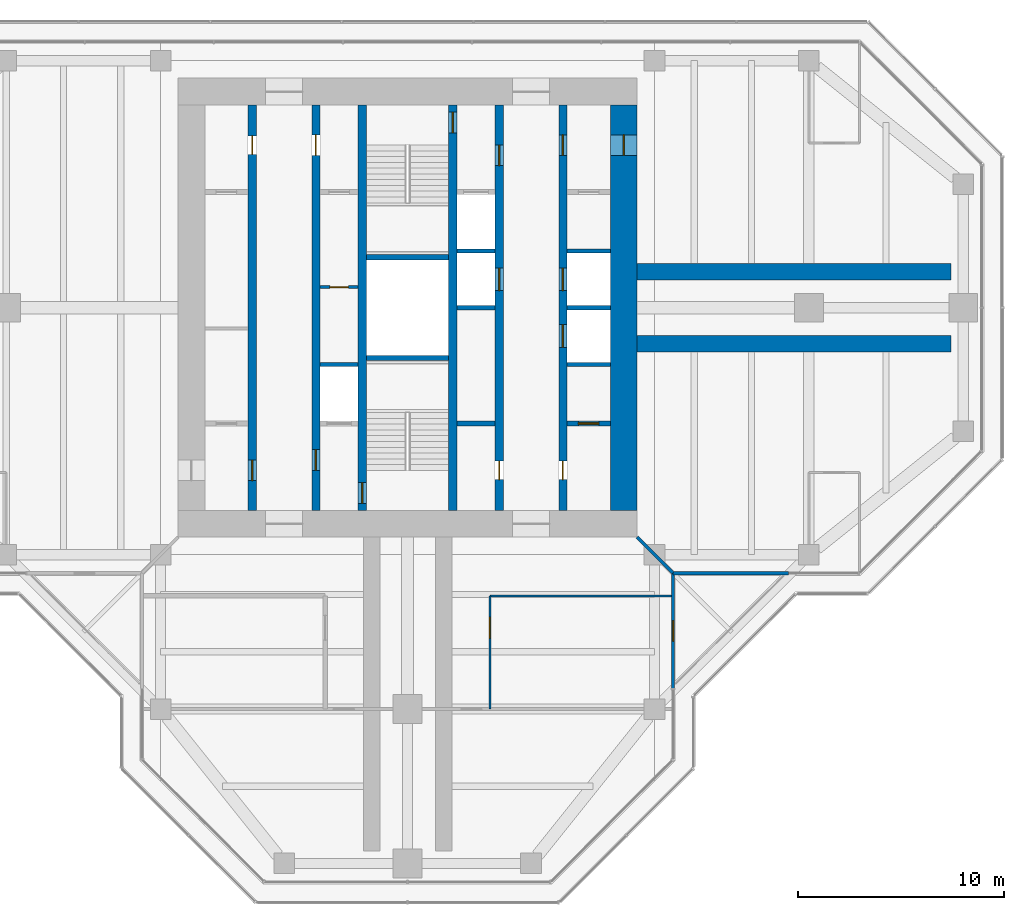
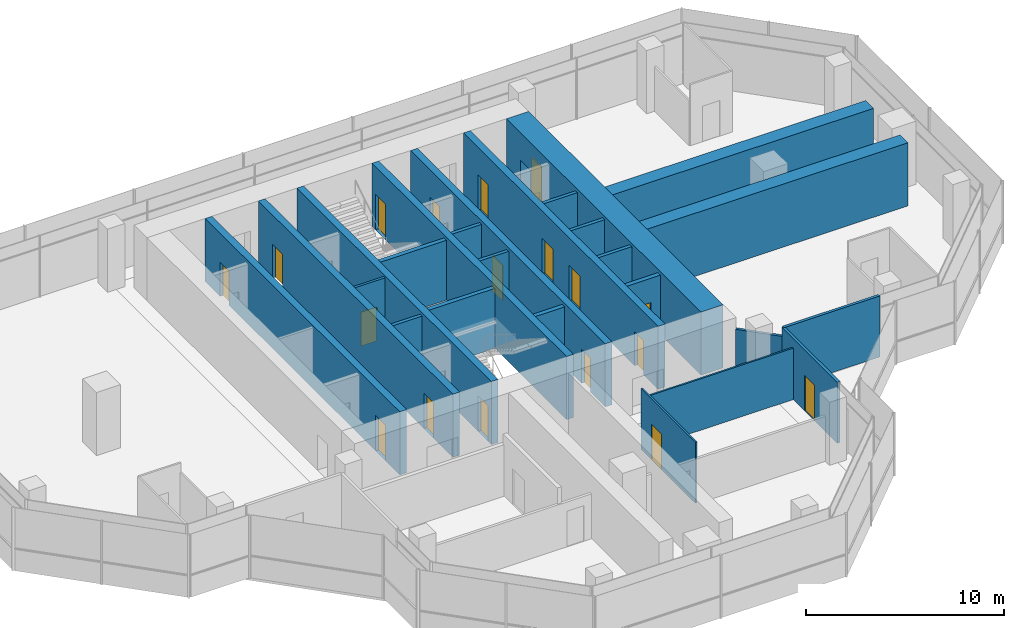
# One storey, part 12 of 15: 25 walls, 18 doors, 18 openings.
"""IFC4 building model written with IfcOpenShell, lengths in metres."""

from ifc_helpers import new_model, si_unit, direction, frame, frame_2d, origin, place, context, subcontext, project, spatial, rectangle, extrude, material, layer, layer_set, type_object, element, fill, save


model = new_model("IFC4")

# Units and contexts
model_context = context("Model", 3, precision=1e-05, world=origin(), true_north=direction((0.0, 1.0)))
body_context = subcontext(model_context, "Body", "Model", "MODEL_VIEW")
ifc_project = project(units=[si_unit("LENGTHUNIT", "METRE"), si_unit("AREAUNIT", "SQUARE_METRE"), si_unit("VOLUMEUNIT", "CUBIC_METRE"), si_unit("PLANEANGLEUNIT", "RADIAN"), si_unit("MASSUNIT", "GRAM", prefix="KILO")], contexts=[model_context])

# Site, building, storey
site_placement = place(None, origin())
site = spatial("IfcSite", under=ifc_project, at=site_placement, CompositionType="ELEMENT")
building_placement = place(site_placement, origin())
building = spatial("IfcBuilding", under=site, at=building_placement, Name="Mizan Broadcast Tower", CompositionType="ELEMENT")
storey_placement = place(building_placement, frame((0.0, 0.0, 286.800048828125)))
storey = spatial("IfcBuildingStorey", under=building, at=storey_placement, Name="L68", CompositionType="ELEMENT", Elevation=286.800048828125)

# Wall, openings, doors
ifc_material_1 = material(Name="Concrete C70/85", Category="concrete")
ifc_layer_1 = layer(ifc_material_1, 0.39990234375)
ifc_layer_set_1 = layer_set([ifc_layer_1], Name="Concrete C70/85")
wall_type_1 = type_object("IfcWallType", Name="CORE INTERNAL WALL 400", PredefinedType="SHEAR", material=ifc_layer_set_1)
wall_1_placement = place(storey_placement, frame((-7.550048828125, -9.85009765625, 0.0), z_axis=(0.0, 0.0, 1.0), x_axis=(0.0, 1.0, 0.0)))
wall_1 = element("IfcWall", 1, at=wall_1_placement, inside=storey, type_object=wall_type_1, Name="Core wall CORE/XW1", PredefinedType="SHEAR", context=body_context, shape_type="SweptSolid", body=[
    extrude(rectangle(XDim=19.7001953125, YDim=0.39990234375, at=frame_2d((9.85009765625, 0.0))), origin(), (0.0, 0.0, 1.0), 3.89990234375),
])
opening_1_placement = place(wall_1_placement, frame((1.449951171875, 0.0, 0.0)))
opening_1 = element("IfcOpeningElement", 2, at=opening_1_placement, cuts=wall_1, Name="Opening D10F", PredefinedType="OPENING", context=body_context, shape_type="SweptSolid", body=[
    extrude(rectangle(XDim=1.0, YDim=2.199951171875, at=frame_2d((0.5, 1.10009765625))), frame((0.0, 0.2099609375, 0.0), z_axis=(0.0, -1.0, 0.0), x_axis=(1.0, 0.0, 0.0)), (0.0, 0.0, 1.0), 0.419921875),
])
opening_2_placement = place(wall_1_placement, frame((17.300048828125, 0.0, 0.0)))
opening_2 = element("IfcOpeningElement", 3, at=opening_2_placement, cuts=wall_1, Name="Opening D09", PredefinedType="OPENING", context=body_context, shape_type="SweptSolid", body=[
    extrude(rectangle(XDim=0.89990234375, YDim=2.10009765625, at=frame_2d((0.449951171875, 1.050048828125))), frame((0.0, 0.2099609375, 0.0), z_axis=(0.0, -1.0, 0.0), x_axis=(1.0, 0.0, 0.0)), (0.0, 0.0, 1.0), 0.419921875),
])
ifc_material_2 = material(Name="Steel door leaf in steel frame", Category="steel")
door_type_1 = type_object("IfcDoorType", Name="FIRE DOOR 1000 FD90", OperationType="SINGLE_SWING_LEFT", PredefinedType="DOOR", material=ifc_material_2)
door_1_placement = place(opening_1_placement, origin())
door_1 = element("IfcDoor", 4, at=door_1_placement, inside=storey, type_object=door_type_1, Name="West core passage door", OperationType="SINGLE_SWING_LEFT", OverallHeight=2.199951171875, OverallWidth=1.0, PredefinedType="DOOR", context=body_context, shape_type="SweptSolid", body=[
    extrude(rectangle(XDim=1.0, YDim=2.199951171875, at=frame_2d((0.5, 1.10009765625))), frame((0.0, 0.02490234375, 0.0), z_axis=(0.0, -1.0, 0.0), x_axis=(1.0, 0.0, 0.0)), (0.0, 0.0, 1.0), 0.050048828125),
])
fill(opening_1, door_1)
ifc_material_3 = material(Name="Timber door leaf in aluminium frame", Category="wood")
door_type_2 = type_object("IfcDoorType", Name="TOILET DOOR 900", OperationType="SINGLE_SWING_LEFT", PredefinedType="DOOR", material=ifc_material_3)
door_2_placement = place(opening_2_placement, origin())
door_2 = element("IfcDoor", 5, at=door_2_placement, inside=storey, type_object=door_type_2, Name="Male WC door", OperationType="SINGLE_SWING_RIGHT", OverallHeight=2.10009765625, OverallWidth=0.89990234375, PredefinedType="DOOR", context=body_context, shape_type="SweptSolid", body=[
    extrude(rectangle(XDim=0.89990234375, YDim=2.10009765625, at=frame_2d((0.449951171875, 1.050048828125))), frame((0.0, 0.02490234375, 0.0), z_axis=(0.0, -1.0, 0.0), x_axis=(1.0, 0.0, 0.0)), (0.0, 0.0, 1.0), 0.050048828125),
])
fill(opening_2, door_2)

wall_2_placement = place(storey_placement, frame((7.550048828125, 9.85009765625, 0.0), z_axis=(0.0, 0.0, 1.0), x_axis=(0.0, -1.0, 0.0)))
wall_2 = element("IfcWall", 6, at=wall_2_placement, inside=storey, type_object=wall_type_1, Name="Core wall CORE/XW1E", PredefinedType="SHEAR", context=body_context, shape_type="SweptSolid", body=[
    extrude(rectangle(XDim=19.7001953125, YDim=0.39990234375, at=frame_2d((9.85009765625, 0.0))), origin(), (0.0, 0.0, 1.0), 3.89990234375),
])
opening_3_placement = place(wall_2_placement, frame((1.449951171875, 0.0, 0.0)))
opening_3 = element("IfcOpeningElement", 7, at=opening_3_placement, cuts=wall_2, Name="Opening D10F", PredefinedType="OPENING", context=body_context, shape_type="SweptSolid", body=[
    extrude(rectangle(XDim=1.0, YDim=2.199951171875, at=frame_2d((0.5, 1.10009765625))), frame((0.0, 0.2099609375, 0.0), z_axis=(0.0, -1.0, 0.0), x_axis=(1.0, 0.0, 0.0)), (0.0, 0.0, 1.0), 0.419921875),
])
opening_4_placement = place(wall_2_placement, frame((17.300048828125, 0.0, 0.0)))
opening_4 = element("IfcOpeningElement", 8, at=opening_4_placement, cuts=wall_2, Name="Opening D09", PredefinedType="OPENING", context=body_context, shape_type="SweptSolid", body=[
    extrude(rectangle(XDim=0.89990234375, YDim=2.10009765625, at=frame_2d((0.449951171875, 1.050048828125))), frame((0.0, 0.2099609375, 0.0), z_axis=(0.0, -1.0, 0.0), x_axis=(1.0, 0.0, 0.0)), (0.0, 0.0, 1.0), 0.419921875),
])
opening_5_placement = place(wall_2_placement, frame((7.925048828125, 0.0, 0.0)))
opening_5 = element("IfcOpeningElement", 9, at=opening_5_placement, cuts=wall_2, Name="Opening LD", PredefinedType="OPENING", context=body_context, shape_type="SweptSolid", body=[
    extrude(rectangle(XDim=1.10009765625, YDim=2.199951171875, at=frame_2d((0.550048828125, 1.10009765625))), frame((0.0, 0.2099609375, 0.0), z_axis=(0.0, -1.0, 0.0), x_axis=(1.0, 0.0, 0.0)), (0.0, 0.0, 1.0), 0.419921875),
])
opening_6_placement = place(wall_2_placement, frame((10.675048828125, 0.0, 0.0)))
opening_6 = element("IfcOpeningElement", 10, at=opening_6_placement, cuts=wall_2, Name="Opening LD", PredefinedType="OPENING", context=body_context, shape_type="SweptSolid", body=[
    extrude(rectangle(XDim=1.10009765625, YDim=2.199951171875, at=frame_2d((0.550048828125, 1.10009765625))), frame((0.0, 0.2099609375, 0.0), z_axis=(0.0, -1.0, 0.0), x_axis=(1.0, 0.0, 0.0)), (0.0, 0.0, 1.0), 0.419921875),
])
door_3_placement = place(opening_3_placement, origin())
door_3 = element("IfcDoor", 11, at=door_3_placement, inside=storey, type_object=door_type_1, Name="East core passage door", OperationType="SINGLE_SWING_LEFT", OverallHeight=2.199951171875, OverallWidth=1.0, PredefinedType="DOOR", context=body_context, shape_type="SweptSolid", body=[
    extrude(rectangle(XDim=1.0, YDim=2.199951171875, at=frame_2d((0.5, 1.10009765625))), frame((0.0, 0.02490234375, 0.0), z_axis=(0.0, -1.0, 0.0), x_axis=(1.0, 0.0, 0.0)), (0.0, 0.0, 1.0), 0.050048828125),
])
fill(opening_3, door_3)
ifc_material_4 = material(Name="Steel door leaf in steel frame", Category="steel")
door_type_3 = type_object("IfcDoorType", Name="LIFT LANDING DOOR 1100", OperationType="SLIDING_TO_LEFT", PredefinedType="DOOR", material=ifc_material_4)
door_4_placement = place(opening_5_placement, origin())
door_4 = element("IfcDoor", 12, at=door_4_placement, inside=storey, type_object=door_type_3, Name="Landing door LD1", OperationType="SLIDING_TO_LEFT", OverallHeight=2.199951171875, OverallWidth=1.10009765625, PredefinedType="DOOR", context=body_context, shape_type="SweptSolid", body=[
    extrude(rectangle(XDim=1.10009765625, YDim=2.199951171875, at=frame_2d((0.550048828125, 1.10009765625))), frame((0.0, 0.02490234375, 0.0), z_axis=(0.0, -1.0, 0.0), x_axis=(1.0, 0.0, 0.0)), (0.0, 0.0, 1.0), 0.050048828125),
])
fill(opening_5, door_4)
door_5_placement = place(opening_6_placement, origin())
door_5 = element("IfcDoor", 13, at=door_5_placement, inside=storey, type_object=door_type_3, Name="Landing door LD2", OperationType="SLIDING_TO_LEFT", OverallHeight=2.199951171875, OverallWidth=1.10009765625, PredefinedType="DOOR", context=body_context, shape_type="SweptSolid", body=[
    extrude(rectangle(XDim=1.10009765625, YDim=2.199951171875, at=frame_2d((0.550048828125, 1.10009765625))), frame((0.0, 0.02490234375, 0.0), z_axis=(0.0, -1.0, 0.0), x_axis=(1.0, 0.0, 0.0)), (0.0, 0.0, 1.0), 0.050048828125),
])
fill(opening_6, door_5)
door_6_placement = place(opening_4_placement, origin())
door_6 = element("IfcDoor", 14, at=door_6_placement, inside=storey, type_object=door_type_2, Name="Female WC door", OperationType="SINGLE_SWING_RIGHT", OverallHeight=2.10009765625, OverallWidth=0.89990234375, PredefinedType="DOOR", context=body_context, shape_type="SweptSolid", body=[
    extrude(rectangle(XDim=0.89990234375, YDim=2.10009765625, at=frame_2d((0.449951171875, 1.050048828125))), frame((0.0, 0.02490234375, 0.0), z_axis=(0.0, -1.0, 0.0), x_axis=(1.0, 0.0, 0.0)), (0.0, 0.0, 1.0), 0.050048828125),
])
fill(opening_4, door_6)

wall_3_placement = place(storey_placement, frame((-4.449951171875, -9.85009765625, 0.0), z_axis=(0.0, 0.0, 1.0), x_axis=(0.0, 1.0, 0.0)))
wall_3 = element("IfcWall", 15, at=wall_3_placement, inside=storey, type_object=wall_type_1, Name="Core wall CORE/XWH", PredefinedType="SHEAR", context=body_context, shape_type="SweptSolid", body=[
    extrude(rectangle(XDim=19.7001953125, YDim=0.39990234375, at=frame_2d((9.85009765625, 0.0))), origin(), (0.0, 0.0, 1.0), 3.89990234375),
])
opening_7_placement = place(wall_3_placement, frame((1.949951171875, 0.0, 0.0)))
opening_7 = element("IfcOpeningElement", 16, at=opening_7_placement, cuts=wall_3, Name="Opening D10F", PredefinedType="OPENING", context=body_context, shape_type="SweptSolid", body=[
    extrude(rectangle(XDim=1.0, YDim=2.199951171875, at=frame_2d((0.5, 1.10009765625))), frame((0.0, 0.2099609375, 0.0), z_axis=(0.0, -1.0, 0.0), x_axis=(1.0, 0.0, 0.0)), (0.0, 0.0, 1.0), 0.419921875),
])
opening_8_placement = place(wall_3_placement, frame((17.25, 0.0, 0.0)))
opening_8 = element("IfcOpeningElement", 17, at=opening_8_placement, cuts=wall_3, Name="Opening D10A", PredefinedType="OPENING", context=body_context, shape_type="SweptSolid", body=[
    extrude(rectangle(XDim=1.0, YDim=2.10009765625, at=frame_2d((0.5, 1.050048828125))), frame((0.0, 0.2099609375, 0.0), z_axis=(0.0, -1.0, 0.0), x_axis=(1.0, 0.0, 0.0)), (0.0, 0.0, 1.0), 0.419921875),
])
ifc_material_5 = material(Name="Timber door leaf in aluminium frame", Category="wood")
door_type_4 = type_object("IfcDoorType", Name="ACCESSIBLE WC DOOR 1000", OperationType="SLIDING_TO_LEFT", PredefinedType="DOOR", material=ifc_material_5)
door_7_placement = place(opening_8_placement, origin())
door_7 = element("IfcDoor", 18, at=door_7_placement, inside=storey, type_object=door_type_4, Name="Accessible WC door", OperationType="SLIDING_TO_LEFT", OverallHeight=2.10009765625, OverallWidth=1.0, PredefinedType="DOOR", context=body_context, shape_type="SweptSolid", body=[
    extrude(rectangle(XDim=1.0, YDim=2.10009765625, at=frame_2d((0.5, 1.050048828125))), frame((0.0, 0.02490234375, 0.0), z_axis=(0.0, -1.0, 0.0), x_axis=(1.0, 0.0, 0.0)), (0.0, 0.0, 1.0), 0.050048828125),
])
fill(opening_8, door_7)
door_8_placement = place(opening_7_placement, origin())
door_8 = element("IfcDoor", 19, at=door_8_placement, inside=storey, type_object=door_type_1, Name="Firefighting lobby A door", OperationType="SINGLE_SWING_LEFT", OverallHeight=2.199951171875, OverallWidth=1.0, PredefinedType="DOOR", context=body_context, shape_type="SweptSolid", body=[
    extrude(rectangle(XDim=1.0, YDim=2.199951171875, at=frame_2d((0.5, 1.10009765625))), frame((0.0, 0.02490234375, 0.0), z_axis=(0.0, -1.0, 0.0), x_axis=(1.0, 0.0, 0.0)), (0.0, 0.0, 1.0), 0.050048828125),
])
fill(opening_7, door_8)

wall_4_placement = place(storey_placement, frame((4.449951171875, 9.85009765625, 0.0), z_axis=(0.0, 0.0, 1.0), x_axis=(0.0, -1.0, 0.0)))
wall_4 = element("IfcWall", 20, at=wall_4_placement, inside=storey, type_object=wall_type_1, Name="Core wall CORE/XWHE", PredefinedType="SHEAR", context=body_context, shape_type="SweptSolid", body=[
    extrude(rectangle(XDim=19.7001953125, YDim=0.39990234375, at=frame_2d((9.85009765625, 0.0))), origin(), (0.0, 0.0, 1.0), 3.89990234375),
])
opening_9_placement = place(wall_4_placement, frame((1.949951171875, 0.0, 0.0)))
opening_9 = element("IfcOpeningElement", 21, at=opening_9_placement, cuts=wall_4, Name="Opening D10F", PredefinedType="OPENING", context=body_context, shape_type="SweptSolid", body=[
    extrude(rectangle(XDim=1.0, YDim=2.199951171875, at=frame_2d((0.5, 1.10009765625))), frame((0.0, 0.2099609375, 0.0), z_axis=(0.0, -1.0, 0.0), x_axis=(1.0, 0.0, 0.0)), (0.0, 0.0, 1.0), 0.419921875),
])
opening_10_placement = place(wall_4_placement, frame((17.300048828125, 0.0, 0.0)))
opening_10 = element("IfcOpeningElement", 22, at=opening_10_placement, cuts=wall_4, Name="Opening D09", PredefinedType="OPENING", context=body_context, shape_type="SweptSolid", body=[
    extrude(rectangle(XDim=0.89990234375, YDim=2.10009765625, at=frame_2d((0.449951171875, 1.050048828125))), frame((0.0, 0.2099609375, 0.0), z_axis=(0.0, -1.0, 0.0), x_axis=(1.0, 0.0, 0.0)), (0.0, 0.0, 1.0), 0.419921875),
])
opening_11_placement = place(wall_4_placement, frame((7.925048828125, 0.0, 0.0)))
opening_11 = element("IfcOpeningElement", 23, at=opening_11_placement, cuts=wall_4, Name="Opening LD", PredefinedType="OPENING", context=body_context, shape_type="SweptSolid", body=[
    extrude(rectangle(XDim=1.10009765625, YDim=2.199951171875, at=frame_2d((0.550048828125, 1.10009765625))), frame((0.0, 0.2099609375, 0.0), z_axis=(0.0, -1.0, 0.0), x_axis=(1.0, 0.0, 0.0)), (0.0, 0.0, 1.0), 0.419921875),
])
door_9_placement = place(opening_9_placement, origin())
door_9 = element("IfcDoor", 24, at=door_9_placement, inside=storey, type_object=door_type_1, Name="Firefighting lobby B door", OperationType="SINGLE_SWING_LEFT", OverallHeight=2.199951171875, OverallWidth=1.0, PredefinedType="DOOR", context=body_context, shape_type="SweptSolid", body=[
    extrude(rectangle(XDim=1.0, YDim=2.199951171875, at=frame_2d((0.5, 1.10009765625))), frame((0.0, 0.02490234375, 0.0), z_axis=(0.0, -1.0, 0.0), x_axis=(1.0, 0.0, 0.0)), (0.0, 0.0, 1.0), 0.050048828125),
])
fill(opening_9, door_9)
door_10_placement = place(opening_11_placement, origin())
door_10 = element("IfcDoor", 25, at=door_10_placement, inside=storey, type_object=door_type_3, Name="Landing door LD3", OperationType="SLIDING_TO_LEFT", OverallHeight=2.199951171875, OverallWidth=1.10009765625, PredefinedType="DOOR", context=body_context, shape_type="SweptSolid", body=[
    extrude(rectangle(XDim=1.10009765625, YDim=2.199951171875, at=frame_2d((0.550048828125, 1.10009765625))), frame((0.0, 0.02490234375, 0.0), z_axis=(0.0, -1.0, 0.0), x_axis=(1.0, 0.0, 0.0)), (0.0, 0.0, 1.0), 0.050048828125),
])
fill(opening_11, door_10)
door_11_placement = place(opening_10_placement, origin())
door_11 = element("IfcDoor", 26, at=door_11_placement, inside=storey, type_object=door_type_2, Name="Cleaner's store door", OperationType="SINGLE_SWING_RIGHT", OverallHeight=2.10009765625, OverallWidth=0.89990234375, PredefinedType="DOOR", context=body_context, shape_type="SweptSolid", body=[
    extrude(rectangle(XDim=0.89990234375, YDim=2.10009765625, at=frame_2d((0.449951171875, 1.050048828125))), frame((0.0, 0.02490234375, 0.0), z_axis=(0.0, -1.0, 0.0), x_axis=(1.0, 0.0, 0.0)), (0.0, 0.0, 1.0), 0.050048828125),
])
fill(opening_10, door_11)

# Wall, opening, door
wall_5_placement = place(storey_placement, frame((-2.199951171875, -9.85009765625, 0.0), z_axis=(0.0, 0.0, 1.0), x_axis=(0.0, 1.0, 0.0)))
wall_5 = element("IfcWall", 27, at=wall_5_placement, inside=storey, type_object=wall_type_1, Name="Core wall CORE/XW2", PredefinedType="SHEAR", context=body_context, shape_type="SweptSolid", body=[
    extrude(rectangle(XDim=19.7001953125, YDim=0.39990234375, at=frame_2d((9.85009765625, 0.0))), origin(), (0.0, 0.0, 1.0), 3.89990234375),
])
opening_12_placement = place(wall_5_placement, frame((0.35009765625, 0.0, 0.0)))
opening_12 = element("IfcOpeningElement", 28, at=opening_12_placement, cuts=wall_5, Name="Opening D10S", PredefinedType="OPENING", context=body_context, shape_type="SweptSolid", body=[
    extrude(rectangle(XDim=1.0, YDim=2.199951171875, at=frame_2d((0.5, 1.10009765625))), frame((0.0, 0.2099609375, 0.0), z_axis=(0.0, -1.0, 0.0), x_axis=(1.0, 0.0, 0.0)), (0.0, 0.0, 1.0), 0.419921875),
])
ifc_material_6 = material(Name="Steel door leaf in steel frame", Category="steel")
door_type_5 = type_object("IfcDoorType", Name="STAIR DOOR 1000 FD90S", OperationType="SINGLE_SWING_RIGHT", PredefinedType="DOOR", material=ifc_material_6)
door_12_placement = place(opening_12_placement, origin())
door_12 = element("IfcDoor", 29, at=door_12_placement, inside=storey, type_object=door_type_5, Name="Stair A door", OperationType="SINGLE_SWING_RIGHT", OverallHeight=2.199951171875, OverallWidth=1.0, PredefinedType="DOOR", context=body_context, shape_type="SweptSolid", body=[
    extrude(rectangle(XDim=1.0, YDim=2.199951171875, at=frame_2d((0.5, 1.10009765625))), frame((0.0, 0.02490234375, 0.0), z_axis=(0.0, -1.0, 0.0), x_axis=(1.0, 0.0, 0.0)), (0.0, 0.0, 1.0), 0.050048828125),
])
fill(opening_12, door_12)

wall_6_placement = place(storey_placement, frame((2.199951171875, 9.85009765625, 0.0), z_axis=(0.0, 0.0, 1.0), x_axis=(0.0, -1.0, 0.0)))
wall_6 = element("IfcWall", 30, at=wall_6_placement, inside=storey, type_object=wall_type_1, Name="Core wall CORE/XW2E", PredefinedType="SHEAR", context=body_context, shape_type="SweptSolid", body=[
    extrude(rectangle(XDim=19.7001953125, YDim=0.39990234375, at=frame_2d((9.85009765625, 0.0))), origin(), (0.0, 0.0, 1.0), 3.89990234375),
])
opening_13_placement = place(wall_6_placement, frame((0.35009765625, 0.0, 0.0)))
opening_13 = element("IfcOpeningElement", 31, at=opening_13_placement, cuts=wall_6, Name="Opening D10S", PredefinedType="OPENING", context=body_context, shape_type="SweptSolid", body=[
    extrude(rectangle(XDim=1.0, YDim=2.199951171875, at=frame_2d((0.5, 1.10009765625))), frame((0.0, 0.2099609375, 0.0), z_axis=(0.0, -1.0, 0.0), x_axis=(1.0, 0.0, 0.0)), (0.0, 0.0, 1.0), 0.419921875),
])
door_13_placement = place(opening_13_placement, origin())
door_13 = element("IfcDoor", 32, at=door_13_placement, inside=storey, type_object=door_type_5, Name="Stair B door", OperationType="SINGLE_SWING_RIGHT", OverallHeight=2.199951171875, OverallWidth=1.0, PredefinedType="DOOR", context=body_context, shape_type="SweptSolid", body=[
    extrude(rectangle(XDim=1.0, YDim=2.199951171875, at=frame_2d((0.5, 1.10009765625))), frame((0.0, 0.02490234375, 0.0), z_axis=(0.0, -1.0, 0.0), x_axis=(1.0, 0.0, 0.0)), (0.0, 0.0, 1.0), 0.050048828125),
])
fill(opening_13, door_13)

ifc_material_7 = material(Name="Concrete blockwork", Category="masonry")
ifc_layer_2 = layer(ifc_material_7, 0.14990234375)
ifc_layer_set_2 = layer_set([ifc_layer_2], Name="Concrete blockwork")
wall_type_2 = type_object("IfcWallType", Name="CORE PARTITION 150", PredefinedType="SOLIDWALL", material=ifc_layer_set_2)
wall_7_placement = place(storey_placement, frame((-4.25, 1.0, 0.0), z_axis=(0.0, 0.0, 1.0), x_axis=(1.0, 0.0, 0.0)))
wall_7 = element("IfcWall", 33, at=wall_7_placement, inside=storey, type_object=wall_type_2, Name="Core partition CORE/XP2", PredefinedType="SOLIDWALL", context=body_context, shape_type="SweptSolid", body=[
    extrude(rectangle(XDim=1.85009765625, YDim=0.14990234375, at=frame_2d((0.925048828125, 0.0))), origin(), (0.0, 0.0, 1.0), 3.77001953125),
])
opening_14_placement = place(wall_7_placement, frame((0.47509765625, 0.0, 0.0)))
opening_14 = element("IfcOpeningElement", 34, at=opening_14_placement, cuts=wall_7, Name="Opening D09F", PredefinedType="OPENING", context=body_context, shape_type="SweptSolid", body=[
    extrude(rectangle(XDim=0.89990234375, YDim=2.10009765625, at=frame_2d((0.449951171875, 1.050048828125))), frame((0.0, 0.0849609375, 0.0), z_axis=(0.0, -1.0, 0.0), x_axis=(1.0, 0.0, 0.0)), (0.0, 0.0, 1.0), 0.169921875),
])
ifc_material_8 = material(Name="Steel door leaf in steel frame", Category="steel")
door_type_6 = type_object("IfcDoorType", Name="CORE ROOM DOOR 900 FD90", OperationType="SINGLE_SWING_LEFT", PredefinedType="DOOR", material=ifc_material_8)
door_14_placement = place(opening_14_placement, origin())
door_14 = element("IfcDoor", 35, at=door_14_placement, inside=storey, type_object=door_type_6, Name="Accessible changing room door", OperationType="SINGLE_SWING_RIGHT", OverallHeight=2.10009765625, OverallWidth=0.89990234375, PredefinedType="DOOR", context=body_context, shape_type="SweptSolid", body=[
    extrude(rectangle(XDim=0.89990234375, YDim=2.10009765625, at=frame_2d((0.449951171875, 1.050048828125))), frame((0.0, 0.02490234375, 0.0), z_axis=(0.0, -1.0, 0.0), x_axis=(1.0, 0.0, 0.0)), (0.0, 0.0, 1.0), 0.050048828125),
])
fill(opening_14, door_14)

ifc_material_9 = material(Name="Concrete C70/85", Category="concrete")
ifc_layer_3 = layer(ifc_material_9, 1.300048828125)
ifc_layer_set_3 = layer_set([ifc_layer_3], Name="Concrete C70/85")
wall_type_3 = type_object("IfcWallType", Name="CORE WALL 1300", PredefinedType="SHEAR", material=ifc_layer_set_3)
wall_8_placement = place(storey_placement, frame((10.5, -9.85009765625, 0.0), z_axis=(0.0, 0.0, 1.0), x_axis=(0.0, 1.0, 0.0)))
wall_8 = element("IfcWall", 36, at=wall_8_placement, inside=storey, type_object=wall_type_3, Name="Core wall E L68", PredefinedType="SHEAR", context=body_context, shape_type="SweptSolid", body=[
    extrude(rectangle(XDim=19.7001953125, YDim=1.300048828125, at=frame_2d((9.85009765625, 0.0))), origin(), (0.0, 0.0, 1.0), 3.89990234375),
])
opening_15_placement = place(wall_8_placement, frame((17.25, 0.0, 0.0)))
opening_15 = element("IfcOpeningElement", 37, at=opening_15_placement, cuts=wall_8, Name="Opening D10F", PredefinedType="OPENING", context=body_context, shape_type="SweptSolid", body=[
    extrude(rectangle(XDim=1.0, YDim=2.199951171875, at=frame_2d((0.5, 1.10009765625))), frame((0.0, 0.659912109375, 0.0), z_axis=(0.0, -1.0, 0.0), x_axis=(1.0, 0.0, 0.0)), (0.0, 0.0, 1.0), 1.320068359375),
])
door_15_placement = place(opening_15_placement, origin())
door_15 = element("IfcDoor", 38, at=door_15_placement, inside=storey, type_object=door_type_1, Name="East core passage arm door", OperationType="SINGLE_SWING_RIGHT", OverallHeight=2.199951171875, OverallWidth=1.0, PredefinedType="DOOR", context=body_context, shape_type="SweptSolid", body=[
    extrude(rectangle(XDim=1.0, YDim=2.199951171875, at=frame_2d((0.5, 1.10009765625))), frame((0.0, 0.02490234375, 0.0), z_axis=(0.0, -1.0, 0.0), x_axis=(1.0, 0.0, 0.0)), (0.0, 0.0, 1.0), 0.050048828125),
])
fill(opening_15, door_15)

# Wall
ifc_material_10 = material(Name="Aluminium framed glazed screen", Category="aluminium")
ifc_layer_4 = layer(ifc_material_10, 0.159912109375)
ifc_layer_set_4 = layer_set([ifc_layer_4], Name="Aluminium framed glazed screen")
wall_type_4 = type_object("IfcWallType", Name="GLAZED SCREEN WALL 160", PredefinedType="SOLIDWALL", material=ifc_layer_set_4)
wall_9_placement = place(storey_placement, frame((12.89990234375, -12.89990234375, 0.0), z_axis=(0.0, 0.0, 1.0), x_axis=(1.0, 0.0, 0.0)))
element("IfcWall", 39, at=wall_9_placement, inside=storey, type_object=wall_type_4, Name="Winter garden screen L68 E", PredefinedType="SOLIDWALL", context=body_context, shape_type="SweptSolid", body=[
    extrude(rectangle(XDim=5.60009765625, YDim=0.159912109375, at=frame_2d((2.800048828125, 0.0))), origin(), (0.0, 0.0, 1.0), 3.77001953125),
])

# Wall, opening, door
wall_10_placement = place(storey_placement, frame((12.89990234375, -18.5, 0.0), z_axis=(0.0, 0.0, 1.0), x_axis=(0.0, 1.0, 0.0)))
wall_10 = element("IfcWall", 40, at=wall_10_placement, inside=storey, type_object=wall_type_4, Name="Winter garden screen L68 S", PredefinedType="SOLIDWALL", context=body_context, shape_type="SweptSolid", body=[
    extrude(rectangle(XDim=5.60009765625, YDim=0.159912109375, at=frame_2d((2.800048828125, 0.0))), origin(), (0.0, 0.0, 1.0), 3.77001953125),
])
opening_16_placement = place(wall_10_placement, frame((2.300048828125, 0.0, 0.0)))
opening_16 = element("IfcOpeningElement", 41, at=opening_16_placement, cuts=wall_10, Name="Opening WGD", PredefinedType="OPENING", context=body_context, shape_type="SweptSolid", body=[
    extrude(rectangle(XDim=1.0, YDim=2.199951171875, at=frame_2d((0.5, 1.10009765625))), frame((0.0, 0.08984375, 0.0), z_axis=(0.0, -1.0, 0.0), x_axis=(1.0, 0.0, 0.0)), (0.0, 0.0, 1.0), 0.179931640625),
])
ifc_material_11 = material(Name="Aluminium framed glazed door", Category="aluminium")
door_type_7 = type_object("IfcDoorType", Name="WINTER GARDEN DOOR 1000 GLAZED", OperationType="SINGLE_SWING_LEFT", PredefinedType="DOOR", material=ifc_material_11)
door_16_placement = place(opening_16_placement, origin())
door_16 = element("IfcDoor", 42, at=door_16_placement, inside=storey, type_object=door_type_7, Name="Winter garden door L68 S", OperationType="SINGLE_SWING_RIGHT", OverallHeight=2.199951171875, OverallWidth=1.0, PredefinedType="DOOR", context=body_context, shape_type="SweptSolid", body=[
    extrude(rectangle(XDim=1.0, YDim=2.199951171875, at=frame_2d((0.5, 1.10009765625))), frame((0.0, 0.02490234375, 0.0), z_axis=(0.0, -1.0, 0.0), x_axis=(1.0, 0.0, 0.0)), (0.0, 0.0, 1.0), 0.050048828125),
])
fill(opening_16, door_16)

# Walls
ifc_material_12 = material(Name="Concrete blockwork", Category="masonry")
ifc_layer_5 = layer(ifc_material_12, 0.199951171875)
ifc_layer_set_5 = layer_set([ifc_layer_5], Name="Concrete blockwork")
wall_type_5 = type_object("IfcWallType", Name="LIFT SHAFT WALL 200", PredefinedType="SOLIDWALL", material=ifc_layer_set_5)
wall_11_placement = place(storey_placement, frame((-4.25, -2.75, 0.0), z_axis=(0.0, 0.0, 1.0), x_axis=(1.0, 0.0, 0.0)))
element("IfcWall", 43, at=wall_11_placement, inside=storey, type_object=wall_type_5, Name="Lift shaft wall CORE/SW2-1", PredefinedType="SOLIDWALL", context=body_context, shape_type="SweptSolid", body=[
    extrude(rectangle(XDim=1.85009765625, YDim=0.199951171875, at=frame_2d((0.925048828125, 0.0))), origin(), (0.0, 0.0, 1.0), 3.699951171875),
])
wall_12_placement = place(storey_placement, frame((7.75, -2.75, 0.0), z_axis=(0.0, 0.0, 1.0), x_axis=(1.0, 0.0, 0.0)))
element("IfcWall", 44, at=wall_12_placement, inside=storey, type_object=wall_type_5, Name="Lift shaft wall CORE/SE1-1", PredefinedType="SOLIDWALL", context=body_context, shape_type="SweptSolid", body=[
    extrude(rectangle(XDim=2.10009765625, YDim=0.199951171875, at=frame_2d((1.050048828125, 0.0))), origin(), (0.0, 0.0, 1.0), 3.699951171875),
])
wall_13_placement = place(storey_placement, frame((2.39990234375, 0.0, 0.0), z_axis=(0.0, 0.0, 1.0), x_axis=(1.0, 0.0, 0.0)))
element("IfcWall", 45, at=wall_13_placement, inside=storey, type_object=wall_type_5, Name="Lift shaft wall CORE/SE2-2", PredefinedType="SOLIDWALL", context=body_context, shape_type="SweptSolid", body=[
    extrude(rectangle(XDim=1.85009765625, YDim=0.199951171875, at=frame_2d((0.925048828125, 0.0))), origin(), (0.0, 0.0, 1.0), 3.699951171875),
])
wall_14_placement = place(storey_placement, frame((7.75, 0.0, 0.0), z_axis=(0.0, 0.0, 1.0), x_axis=(1.0, 0.0, 0.0)))
element("IfcWall", 46, at=wall_14_placement, inside=storey, type_object=wall_type_5, Name="Lift shaft wall CORE/SE1-2", PredefinedType="SOLIDWALL", context=body_context, shape_type="SweptSolid", body=[
    extrude(rectangle(XDim=2.10009765625, YDim=0.199951171875, at=frame_2d((1.050048828125, 0.0))), origin(), (0.0, 0.0, 1.0), 3.699951171875),
])
wall_15_placement = place(storey_placement, frame((2.39990234375, 2.75, 0.0), z_axis=(0.0, 0.0, 1.0), x_axis=(1.0, 0.0, 0.0)))
element("IfcWall", 47, at=wall_15_placement, inside=storey, type_object=wall_type_5, Name="Lift shaft wall CORE/SE2-3", PredefinedType="SOLIDWALL", context=body_context, shape_type="SweptSolid", body=[
    extrude(rectangle(XDim=1.85009765625, YDim=0.199951171875, at=frame_2d((0.925048828125, 0.0))), origin(), (0.0, 0.0, 1.0), 3.699951171875),
])
wall_16_placement = place(storey_placement, frame((7.75, 2.75, 0.0), z_axis=(0.0, 0.0, 1.0), x_axis=(1.0, 0.0, 0.0)))
element("IfcWall", 48, at=wall_16_placement, inside=storey, type_object=wall_type_5, Name="Lift shaft wall CORE/SE1-3", PredefinedType="SOLIDWALL", context=body_context, shape_type="SweptSolid", body=[
    extrude(rectangle(XDim=2.10009765625, YDim=0.199951171875, at=frame_2d((1.050048828125, 0.0))), origin(), (0.0, 0.0, 1.0), 3.699951171875),
])
ifc_material_13 = material(Name="Concrete blockwork", Category="masonry")
ifc_layer_6 = layer(ifc_material_13, 0.25)
ifc_layer_set_6 = layer_set([ifc_layer_6], Name="Concrete blockwork")
wall_type_6 = type_object("IfcWallType", Name="LOBBY ENCLOSURE WALL 250", PredefinedType="SOLIDWALL", material=ifc_layer_set_6)
wall_17_placement = place(storey_placement, frame((2.39990234375, -5.625, 0.0), z_axis=(0.0, 0.0, 1.0), x_axis=(1.0, 0.0, 0.0)))
element("IfcWall", 49, at=wall_17_placement, inside=storey, type_object=wall_type_6, Name="Lobby enclosure wall CORE/BE2S", PredefinedType="SOLIDWALL", context=body_context, shape_type="SweptSolid", body=[
    extrude(rectangle(XDim=1.85009765625, YDim=0.25, at=frame_2d((0.925048828125, 0.0))), origin(), (0.0, 0.0, 1.0), 3.699951171875),
])

# Wall, opening, door
wall_18_placement = place(storey_placement, frame((7.75, -5.625, 0.0), z_axis=(0.0, 0.0, 1.0), x_axis=(1.0, 0.0, 0.0)))
wall_18 = element("IfcWall", 50, at=wall_18_placement, inside=storey, type_object=wall_type_6, Name="Lobby enclosure wall CORE/BE1S", PredefinedType="SOLIDWALL", context=body_context, shape_type="SweptSolid", body=[
    extrude(rectangle(XDim=2.10009765625, YDim=0.25, at=frame_2d((1.050048828125, 0.0))), origin(), (0.0, 0.0, 1.0), 3.699951171875),
])
opening_17_placement = place(wall_18_placement, frame((0.550048828125, 0.0, 0.0)))
opening_17 = element("IfcOpeningElement", 51, at=opening_17_placement, cuts=wall_18, Name="Opening D10F", PredefinedType="OPENING", context=body_context, shape_type="SweptSolid", body=[
    extrude(rectangle(XDim=1.0, YDim=2.199951171875, at=frame_2d((0.5, 1.10009765625))), frame((0.0, 0.135009765625, 0.0), z_axis=(0.0, -1.0, 0.0), x_axis=(1.0, 0.0, 0.0)), (0.0, 0.0, 1.0), 0.27001953125),
])
door_17_placement = place(opening_17_placement, origin())
door_17 = element("IfcDoor", 52, at=door_17_placement, inside=storey, type_object=door_type_1, Name="Staff changing room door", OperationType="SINGLE_SWING_LEFT", OverallHeight=2.199951171875, OverallWidth=1.0, PredefinedType="DOOR", context=body_context, shape_type="SweptSolid", body=[
    extrude(rectangle(XDim=1.0, YDim=2.199951171875, at=frame_2d((0.5, 1.10009765625))), frame((0.0, 0.02490234375, 0.0), z_axis=(0.0, -1.0, 0.0), x_axis=(1.0, 0.0, 0.0)), (0.0, 0.0, 1.0), 0.050048828125),
])
fill(opening_17, door_17)

# Walls
for number, where, z_axis, x_axis, name in (
    (53, (-2.0, -2.449951171875, 0.0), (0.0, 0.0, 1.0), (1.0, 0.0, 0.0), "Lobby enclosure wall CORE/STA"),
    (54, (-2.0, 2.449951171875, 0.0), (0.0, 0.0, 1.0), (1.0, 0.0, 0.0), "Lobby enclosure wall CORE/STB"),
):
    element("IfcWall", number, at=place(storey_placement, frame(where, z_axis=z_axis, x_axis=x_axis)), inside=storey, type_object=wall_type_6, Name=name, PredefinedType="SOLIDWALL", context=body_context, shape_type="SweptSolid", body=[
        extrude(rectangle(XDim=4.0, YDim=0.25, at=frame_2d((2.0, 0.0))), origin(), (0.0, 0.0, 1.0), 3.699951171875),
    ])
ifc_material_14 = material(Name="Gypsum board on steel studs", Category="steel")
ifc_layer_7 = layer(ifc_material_14, 0.14990234375)
ifc_layer_set_7 = layer_set([ifc_layer_7], Name="Gypsum board on steel studs")
wall_type_7 = type_object("IfcWallType", Name="PARTITION 150", PredefinedType="PARTITIONING", material=ifc_layer_set_7)
wall_19_placement = place(storey_placement, frame((11.14990234375, -11.14990234375, 0.0), z_axis=(0.0, 0.0, 1.0), x_axis=(0.707106781187, -0.707106781187, 0.0)))
element("IfcWall", 55, at=wall_19_placement, inside=storey, type_object=wall_type_7, Name="Partition PT/DGES", PredefinedType="PARTITIONING", context=body_context, shape_type="SweptSolid", body=[
    extrude(rectangle(XDim=2.460693359375, YDim=0.14990234375, at=frame_2d((1.23046875, 0.0))), origin(), (0.0, 0.0, 1.0), 3.219970703125),
])

# Wall, opening, door
ifc_material_15 = material(Name="Glazed aluminium partition on aluminium track", Category="aluminium")
ifc_layer_8 = layer(ifc_material_15, 0.10009765625)
ifc_layer_set_8 = layer_set([ifc_layer_8], Name="Glazed aluminium partition on aluminium track")
wall_type_8 = type_object("IfcWallType", Name="PARTITION GLAZED OFFICE FRONT 100", PredefinedType="PARTITIONING", material=ifc_layer_set_8)
wall_20_placement = place(storey_placement, frame((4.0, -14.0, 0.0), z_axis=(0.0, 0.0, 1.0), x_axis=(0.0, -1.0, 0.0)))
wall_20 = element("IfcWall", 56, at=wall_20_placement, inside=storey, type_object=wall_type_8, Name="Glazed office front PT/SCP0", PredefinedType="PARTITIONING", context=body_context, shape_type="SweptSolid", body=[
    extrude(rectangle(XDim=5.5, YDim=0.10009765625, at=frame_2d((2.75, 0.0))), origin(), (0.0, 0.0, 1.0), 3.77001953125),
])
opening_18_placement = place(wall_20_placement, frame((1.050048828125, 0.0, 0.0)))
opening_18 = element("IfcOpeningElement", 57, at=opening_18_placement, cuts=wall_20, Name="Opening D10O", PredefinedType="OPENING", context=body_context, shape_type="SweptSolid", body=[
    extrude(rectangle(XDim=1.0, YDim=2.199951171875, at=frame_2d((0.5, 1.10009765625))), frame((0.0, 0.06005859375, 0.0), z_axis=(0.0, -1.0, 0.0), x_axis=(1.0, 0.0, 0.0)), (0.0, 0.0, 1.0), 0.1201171875),
])
ifc_material_16 = material(Name="Timber door leaf in aluminium frame", Category="wood")
door_type_8 = type_object("IfcDoorType", Name="OFFICE DOOR 1000 GLAZED", OperationType="SINGLE_SWING_LEFT", PredefinedType="DOOR", material=ifc_material_16)
door_18_placement = place(opening_18_placement, origin())
door_18 = element("IfcDoor", 58, at=door_18_placement, inside=storey, type_object=door_type_8, Name="Director's office door", OperationType="SINGLE_SWING_LEFT", OverallHeight=2.199951171875, OverallWidth=1.0, PredefinedType="DOOR", context=body_context, shape_type="SweptSolid", body=[
    extrude(rectangle(XDim=1.0, YDim=2.199951171875, at=frame_2d((0.5, 1.10009765625))), frame((0.0, 0.02490234375, 0.0), z_axis=(0.0, -1.0, 0.0), x_axis=(1.0, 0.0, 0.0)), (0.0, 0.0, 1.0), 0.050048828125),
])
fill(opening_18, door_18)

# Walls
wall_21_placement = place(storey_placement, frame((4.0, -14.0, 0.0), z_axis=(0.0, 0.0, 1.0), x_axis=(1.0, 0.0, 0.0)))
element("IfcWall", 59, at=wall_21_placement, inside=storey, type_object=wall_type_8, Name="Glazed office front PT/SQP1400", PredefinedType="PARTITIONING", context=body_context, shape_type="SweptSolid", body=[
    extrude(rectangle(XDim=8.820068359375, YDim=0.10009765625, at=frame_2d((4.41015625, 0.0))), origin(), (0.0, 0.0, 1.0), 3.179931640625),
])
ifc_material_17 = material(Name="Concrete C70/85", Category="concrete")
ifc_layer_9 = layer(ifc_material_17, 0.800048828125)
ifc_layer_set_9 = layer_set([ifc_layer_9], Name="Concrete C70/85")
wall_type_9 = type_object("IfcWallType", Name="SPINE WALL 800", PredefinedType="SHEAR", material=ifc_layer_set_9)
for number, where, z_axis, x_axis, name in (
    (60, (11.14990234375, -1.75, 0.0), (0.0, 0.0, 1.0), (1.0, 0.0, 0.0), "Spine wall ER L68"),
    (61, (11.14990234375, 1.75, 0.0), (0.0, 0.0, 1.0), (1.0, 0.0, 0.0), "Spine wall EL L68"),
):
    element("IfcWall", number, at=place(storey_placement, frame(where, z_axis=z_axis, x_axis=x_axis)), inside=storey, type_object=wall_type_9, Name=name, PredefinedType="SHEAR", context=body_context, shape_type="SweptSolid", body=[
        extrude(rectangle(XDim=15.25, YDim=0.800048828125, at=frame_2d((7.625, 0.0))), origin(), (0.0, 0.0, 1.0), 3.89990234375),
    ])

save(model, "model.ifc")
